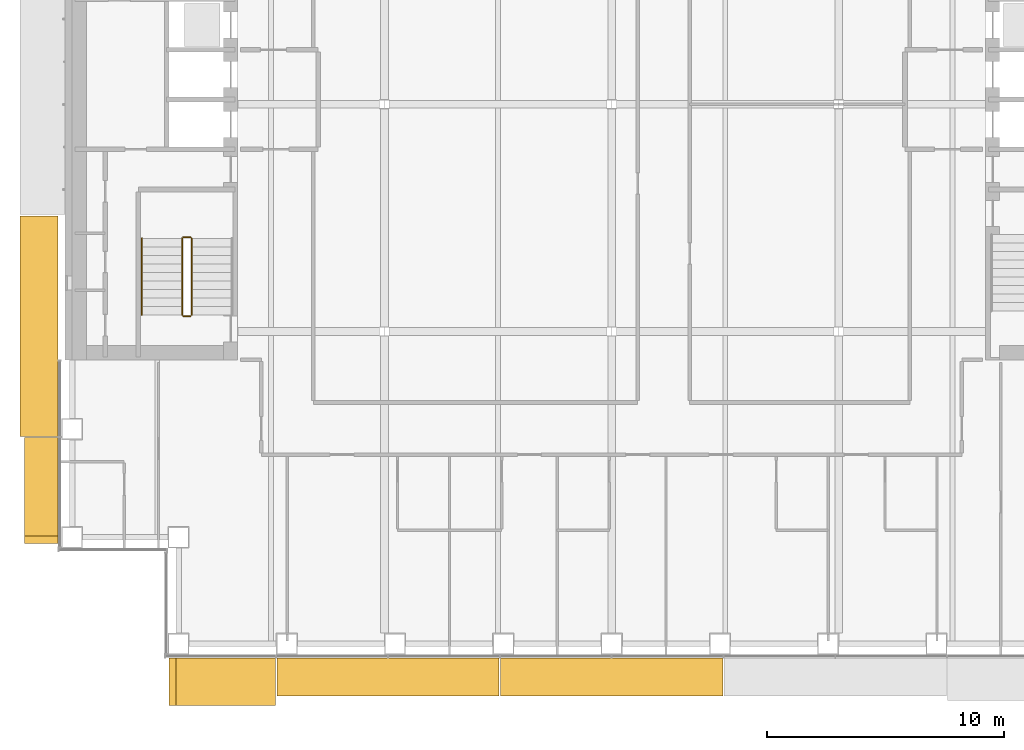
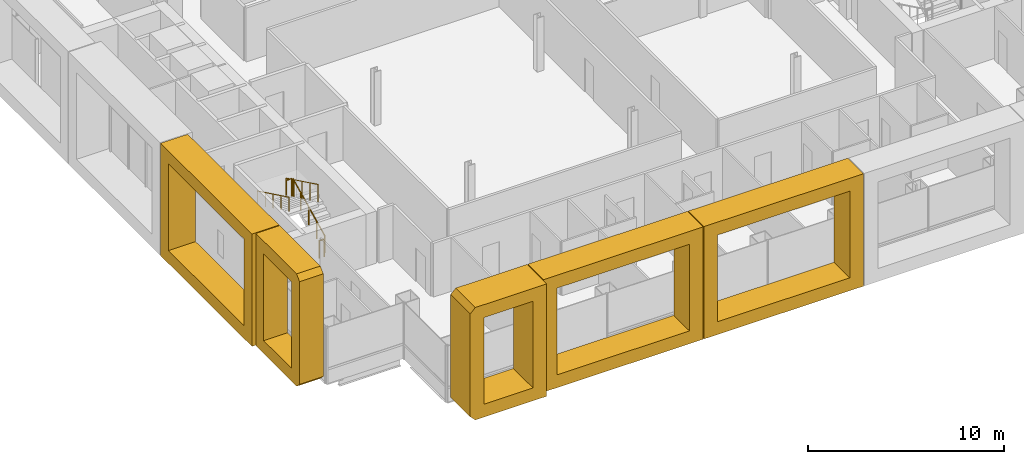
# One storey, part 15 of 20: 5 coverings, 5 railings.
"""IFC4 building model written with IfcOpenShell, lengths in metres."""

from ifc_helpers import new_model, si_unit, direction, frame, origin, origin_2d, place, context, subcontext, project, spatial, polyline, circle, outline, extrude, material, type_object, element, save


model = new_model("IFC4")

# Units and contexts
model_context = context("Model", 3, precision=1e-05, world=origin(), true_north=direction((0.0, 1.0)))
body_context = subcontext(model_context, "Body", "Model", "MODEL_VIEW")
ifc_project = project(units=[si_unit("LENGTHUNIT", "METRE"), si_unit("AREAUNIT", "SQUARE_METRE"), si_unit("VOLUMEUNIT", "CUBIC_METRE"), si_unit("PLANEANGLEUNIT", "RADIAN"), si_unit("MASSUNIT", "GRAM", prefix="KILO")], contexts=[model_context])

# Site, building, storey
site_placement = place(None, origin())
site = spatial("IfcSite", under=ifc_project, at=site_placement, CompositionType="ELEMENT")
building_placement = place(site_placement, origin())
building = spatial("IfcBuilding", under=site, at=building_placement, Name="Cobrizo Arcos Hotel Tower", CompositionType="ELEMENT")
storey_placement = place(building_placement, frame((0.0, 0.0, 96.0)))
storey = spatial("IfcBuildingStorey", under=building, at=storey_placement, Name="L23", CompositionType="ELEMENT", Elevation=96.0)

# Coverings
ifc_material_1 = material(Name="Aluminium 6063-T6 anodised bronze", Category="aluminium")
covering_type_1 = type_object("IfcCoveringType", Name="FIN-F 1400", PredefinedType="CLADDING", material=ifc_material_1)
covering_1_placement = place(storey_placement, frame((-23.39990234375, -14.08740234375, 0.0), z_axis=(-1.0, 0.0, 0.0), x_axis=(0.0, -1.0, 0.0)))
element("IfcCovering", 1, at=covering_1_placement, inside=storey, type_object=covering_type_1, Name="Fin frame 153", PredefinedType="CLADDING", context=body_context, shape_type="SweptSolid", body=[
    extrude(outline(polyline([(0.0, 7.0), (0.0, 0.0), (4.16259765625, 0.0), (4.46240234375, 0.300048828125), (4.46240234375, 6.699951171875), (4.16259765625, 7.0), (0.0, 7.0)]), holes=[polyline([(3.66259765625, 0.800048828125), (0.800048828125, 0.800048828125), (0.800048828125, 6.199951171875), (3.66259765625, 6.199951171875), (3.66259765625, 0.800048828125)])]), origin(), (0.0, 0.0, 1.0), 1.400146484375),
])
covering_type_2 = type_object("IfcCoveringType", Name="FIN-F 1600", PredefinedType="CLADDING", material=ifc_material_1)
for number, where, z_axis, x_axis, name in (
    (2, (-14.14990234375, -23.39990234375, 0.0), (0.0, -1.0, 0.0), (1.0, 0.0, 0.0), "Fin frame 129"),
    (3, (-4.699951171875, -23.39990234375, 0.0), (0.0, -1.0, 0.0), (1.0, 0.0, 0.0), "Fin frame 130"),
):
    element("IfcCovering", number, at=place(storey_placement, frame(where, z_axis=z_axis, x_axis=x_axis)), inside=storey, type_object=covering_type_2, Name=name, PredefinedType="CLADDING", context=body_context, shape_type="SweptSolid", body=[
        extrude(outline(polyline([(0.0, 7.0), (0.0, 0.0), (9.39990234375, 0.0), (9.39990234375, 7.0), (0.0, 7.0)]), holes=[polyline([(8.60009765625, 0.800048828125), (0.800048828125, 0.800048828125), (0.800048828125, 6.199951171875), (8.60009765625, 6.199951171875), (8.60009765625, 0.800048828125)])]), origin(), (0.0, 0.0, 1.0), 1.60009765625),
    ])
covering_2_placement = place(storey_placement, frame((-23.39990234375, -4.71240234375, 0.0), z_axis=(-1.0, 0.0, 0.0), x_axis=(0.0, -1.0, 0.0)))
element("IfcCovering", 4, at=covering_2_placement, inside=storey, type_object=covering_type_2, Name="Fin frame 152", PredefinedType="CLADDING", context=body_context, shape_type="SweptSolid", body=[
    extrude(outline(polyline([(0.0, 7.0), (0.0, 0.0), (9.324951171875, 0.0), (9.324951171875, 7.0), (0.0, 7.0)]), holes=[polyline([(8.52490234375, 0.800048828125), (0.800048828125, 0.800048828125), (0.800048828125, 6.199951171875), (8.52490234375, 6.199951171875), (8.52490234375, 0.800048828125)])]), origin(), (0.0, 0.0, 1.0), 1.60009765625),
])
covering_type_3 = type_object("IfcCoveringType", Name="FIN-F 2000", PredefinedType="CLADDING", material=ifc_material_1)
covering_3_placement = place(storey_placement, frame((-18.699951171875, -23.39990234375, 0.0), z_axis=(0.0, -1.0, 0.0), x_axis=(1.0, 0.0, 0.0)))
element("IfcCovering", 5, at=covering_3_placement, inside=storey, type_object=covering_type_3, Name="Fin frame 128", PredefinedType="CLADDING", context=body_context, shape_type="SweptSolid", body=[
    extrude(outline(polyline([(0.0, 0.300048828125), (0.300048828125, 0.0), (4.5, 0.0), (4.5, 7.0), (0.300048828125, 7.0), (0.0, 6.699951171875), (0.0, 0.300048828125)]), holes=[polyline([(3.699951171875, 0.800048828125), (0.800048828125, 0.800048828125), (0.800048828125, 6.199951171875), (3.699951171875, 6.199951171875), (3.699951171875, 0.800048828125)])]), origin(), (0.0, 0.0, 1.0), 2.0),
])

# Railings
ifc_material_2 = material(Name="Stainless steel railing", Category="steel")
railing_type_1 = type_object("IfcRailingType", Name="Stair guard 1100", PredefinedType="GUARDRAIL", material=ifc_material_2)
railing_1_placement = place(storey_placement, frame((-17.75, -8.89990234375, 0.175048828125)))
element("IfcRailing", 6, at=railing_1_placement, inside=storey, type_object=railing_type_1, Name="L23 ST-W stair guard 1", PredefinedType="GUARDRAIL", context=body_context, shape_type="SweptSolid", body=[
    extrude(circle(Radius=0.02392578125, at=origin_2d()), frame((0.0, 0.0, 1.076171875), z_axis=(0.0, 0.899372665325, 0.437182809435), x_axis=(-1.0, 0.0, 0.0)), (0.0, 0.0, 1.0), 3.6025390625),
    extrude(circle(Radius=0.02099609375, at=origin_2d()), origin(), (0.0, 0.0, 1.0), 1.052001953125),
    extrude(circle(Radius=0.02099609375, at=origin_2d()), frame((0.0, 0.81005859375, 0.393798828125)), (0.0, 0.0, 1.0), 1.052001953125),
    extrude(circle(Radius=0.02099609375, at=origin_2d()), frame((0.0, 1.6201171875, 0.78759765625)), (0.0, 0.0, 1.0), 1.052001953125),
    extrude(circle(Radius=0.02099609375, at=origin_2d()), frame((0.0, 2.429931640625, 1.18115234375)), (0.0, 0.0, 1.0), 1.052001953125),
    extrude(circle(Radius=0.02099609375, at=origin_2d()), frame((0.0, 3.239990234375, 1.574951171875)), (0.0, 0.0, 1.0), 1.052001953125),
])
railing_2_placement = place(storey_placement, frame((-17.800048828125, -5.610107421875, 1.75)))
element("IfcRailing", 7, at=railing_2_placement, inside=storey, type_object=railing_type_1, Name="L23 ST-W stair guard 2", PredefinedType="GUARDRAIL", context=body_context, shape_type="SweptSolid", body=[
    extrude(circle(Radius=0.02392578125, at=origin_2d()), frame((0.0, 0.0, 1.076171875), z_axis=(-1.0, 0.0, 0.0), x_axis=(0.0, -1.0, 0.0)), (0.0, 0.0, 1.0), 0.300048828125),
    extrude(circle(Radius=0.02099609375, at=origin_2d()), origin(), (0.0, 0.0, 1.0), 1.052001953125),
    extrude(circle(Radius=0.02099609375, at=origin_2d()), frame((-0.300048828125, 0.0, 0.0)), (0.0, 0.0, 1.0), 1.052001953125),
])
railing_3_placement = place(storey_placement, frame((-18.14990234375, -5.659912109375, 1.925048828125)))
element("IfcRailing", 8, at=railing_3_placement, inside=storey, type_object=railing_type_1, Name="L23 ST-W stair guard 3", PredefinedType="GUARDRAIL", context=body_context, shape_type="SweptSolid", body=[
    extrude(circle(Radius=0.02392578125, at=origin_2d()), frame((0.0, 0.0, 1.076171875), z_axis=(0.0, -0.899372665325, 0.437182809435), x_axis=(1.0, 0.0, 0.0)), (0.0, 0.0, 1.0), 3.6025390625),
    extrude(circle(Radius=0.02099609375, at=origin_2d()), origin(), (0.0, 0.0, 1.0), 1.052001953125),
    extrude(circle(Radius=0.02099609375, at=origin_2d()), frame((0.0, -0.81005859375, 0.393798828125)), (0.0, 0.0, 1.0), 1.052001953125),
    extrude(circle(Radius=0.02099609375, at=origin_2d()), frame((0.0, -1.6201171875, 0.78759765625)), (0.0, 0.0, 1.0), 1.052001953125),
    extrude(circle(Radius=0.02099609375, at=origin_2d()), frame((0.0, -2.429931640625, 1.18115234375)), (0.0, 0.0, 1.0), 1.052001953125),
    extrude(circle(Radius=0.02099609375, at=origin_2d()), frame((0.0, -3.239990234375, 1.574951171875)), (0.0, 0.0, 1.0), 1.052001953125),
])
railing_4_placement = place(storey_placement, frame((-17.800048828125, -8.949951171875, 0.0)))
element("IfcRailing", 9, at=railing_4_placement, inside=storey, type_object=railing_type_1, Name="L23 ST-W stair guard 4", PredefinedType="GUARDRAIL", context=body_context, shape_type="SweptSolid", body=[
    extrude(circle(Radius=0.02392578125, at=origin_2d()), frame((0.0, 0.0, 1.076171875), z_axis=(-1.0, 0.0, 0.0), x_axis=(0.0, -1.0, 0.0)), (0.0, 0.0, 1.0), 0.300048828125),
    extrude(circle(Radius=0.02099609375, at=origin_2d()), origin(), (0.0, 0.0, 1.0), 1.052001953125),
    extrude(circle(Radius=0.02099609375, at=origin_2d()), frame((-0.300048828125, 0.0, 0.0)), (0.0, 0.0, 1.0), 1.052001953125),
])
railing_type_2 = type_object("IfcRailingType", Name="Stair handrail", PredefinedType="HANDRAIL", material=ifc_material_2)
railing_5_placement = place(storey_placement, frame((-19.85009765625, -5.659912109375, 1.925048828125)))
element("IfcRailing", 10, at=railing_5_placement, inside=storey, type_object=railing_type_2, Name="L23 ST-W stair handrail 2", PredefinedType="HANDRAIL", context=body_context, shape_type="SweptSolid", body=[
    extrude(circle(Radius=0.02392578125, at=origin_2d()), frame((0.0, 0.0, 0.8759765625), z_axis=(0.0, -0.899372665325, 0.437182809435), x_axis=(1.0, 0.0, 0.0)), (0.0, 0.0, 1.0), 3.6025390625),
    extrude(circle(Radius=0.02099609375, at=origin_2d()), origin(), (0.0, 0.0, 1.0), 0.851806640625),
    extrude(circle(Radius=0.02099609375, at=origin_2d()), frame((0.0, -0.81005859375, 0.393798828125)), (0.0, 0.0, 1.0), 0.851806640625),
    extrude(circle(Radius=0.02099609375, at=origin_2d()), frame((0.0, -1.6201171875, 0.78759765625)), (0.0, 0.0, 1.0), 0.851806640625),
    extrude(circle(Radius=0.02099609375, at=origin_2d()), frame((0.0, -2.429931640625, 1.18115234375)), (0.0, 0.0, 1.0), 0.851806640625),
    extrude(circle(Radius=0.02099609375, at=origin_2d()), frame((0.0, -3.239990234375, 1.574951171875)), (0.0, 0.0, 1.0), 0.851806640625),
])

save(model, "model.ifc")
